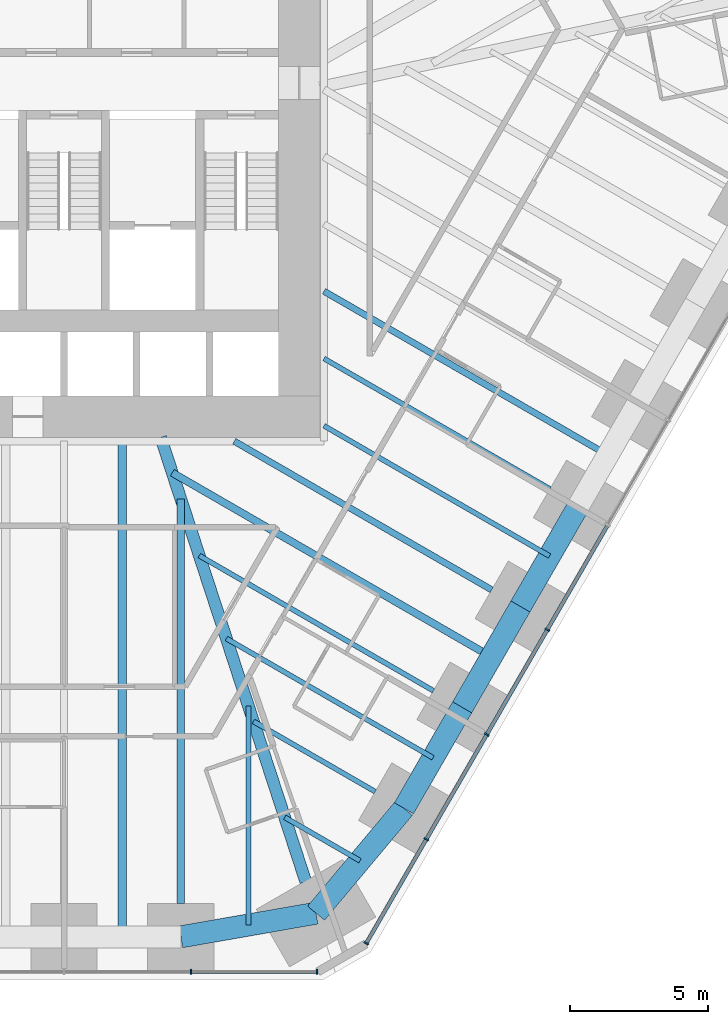
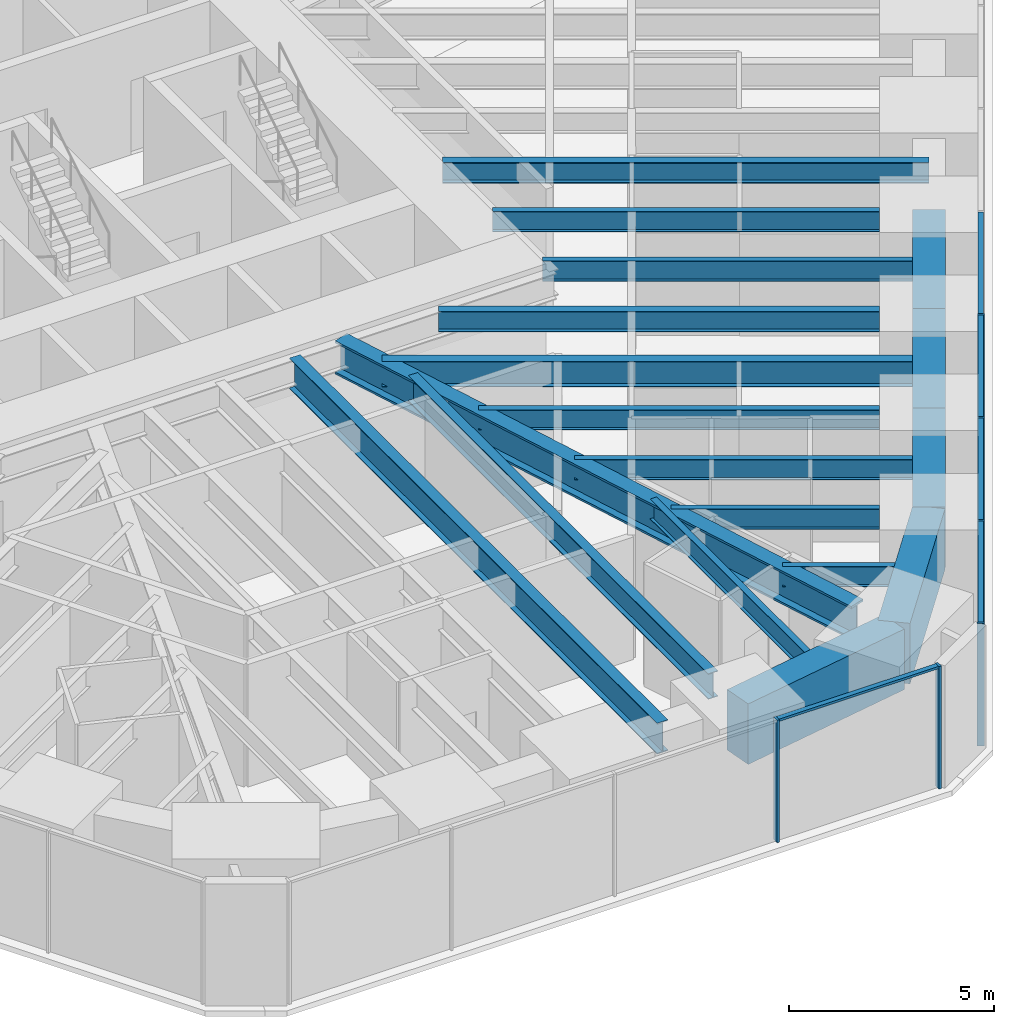
# One storey, part 5 of 17: 18 beams, 11 members, 2 elements without a shape of their own.
"""IFC4 building model written with IfcOpenShell, lengths in metres."""

from ifc_helpers import new_model, si_unit, direction, frame, origin, origin_2d, place, context, subcontext, project, spatial, rectangle, i_section, extrude, material, material_profile, profile_set, type_object, element, aggregate, save


model = new_model("IFC4")

# Units and contexts
model_context = context("Model", 3, precision=1e-05, world=origin(), true_north=direction((0.0, 1.0)))
body_context = subcontext(model_context, "Body", "Model", "MODEL_VIEW")
ifc_project = project(units=[si_unit("LENGTHUNIT", "METRE"), si_unit("AREAUNIT", "SQUARE_METRE"), si_unit("VOLUMEUNIT", "CUBIC_METRE"), si_unit("PLANEANGLEUNIT", "RADIAN"), si_unit("MASSUNIT", "GRAM", prefix="KILO")], contexts=[model_context])

# Site, building, storey
site_placement = place(None, origin())
site = spatial("IfcSite", under=ifc_project, at=site_placement, CompositionType="ELEMENT")
building_placement = place(site_placement, origin())
building = spatial("IfcBuilding", under=site, at=building_placement, Name="Sandreach Pilgrim Tower", CompositionType="ELEMENT")
storey_placement = place(building_placement, frame((0.0, 0.0, 30.60009765625)))
storey = spatial("IfcBuildingStorey", under=building, at=storey_placement, Name="L06", CompositionType="ELEMENT", Elevation=30.60009765625)

# Curtain wall, members
ifc_material_1 = material(Name="Aluminium framed curtain wall", Category="aluminium")
curtain_wall_type = type_object("IfcCurtainWallType", Name="Hostel tower curtain wall", PredefinedType="NOTDEFINED", material=ifc_material_1)
curtain_wall_1_placement = place(storey_placement, origin())
curtain_wall_1 = element("IfcCurtainWall", 1, at=curtain_wall_1_placement, inside=storey, type_object=curtain_wall_type, Name="CW-1 L06 SE", PredefinedType="NOTDEFINED")
ifc_material_2 = material(Name="Aluminium extrusion", Category="aluminium")
ifc_material_profile_1 = material_profile(ifc_material_2, rectangle(XDim=0.06494140625, YDim=0.179931640625, at=origin_2d()), Name="CW-1M 65X180")
ifc_profile_set_1 = profile_set([ifc_material_profile_1], Name="Aluminium extrusion")
member_type_1 = type_object("IfcMemberType", Name="CW-1 mullion", PredefinedType="MULLION", material=ifc_profile_set_1)
member_1_placement = place(storey_placement, frame((17.46142578125, -17.6533203125, 0.0), z_axis=(0.0, 0.0, 1.0), x_axis=(-0.5, -0.866025403784, 0.0)))
member_1 = element("IfcMember", 2, at=member_1_placement, type_object=member_type_1, Name="CW-1 mullion 7", PredefinedType="MULLION", context=body_context, shape_type="SweptSolid", body=[
    extrude(rectangle(XDim=0.06494140625, YDim=0.179931640625, at=origin_2d()), origin(), (0.0, 0.0, 1.0), 3.639892578125),
])
member_2_placement = place(storey_placement, frame((15.275634765625, -21.439208984375, 0.0), z_axis=(0.0, 0.0, 1.0), x_axis=(-0.5, -0.866025403784, 0.0)))
member_2 = element("IfcMember", 3, at=member_2_placement, type_object=member_type_1, Name="CW-1 mullion 8", PredefinedType="MULLION", context=body_context, shape_type="SweptSolid", body=[
    extrude(rectangle(XDim=0.06494140625, YDim=0.179931640625, at=origin_2d()), origin(), (0.0, 0.0, 1.0), 3.639892578125),
])
member_3_placement = place(storey_placement, frame((13.08984375, -25.22509765625, 0.0), z_axis=(0.0, 0.0, 1.0), x_axis=(-0.5, -0.866025403784, 0.0)))
member_3 = element("IfcMember", 4, at=member_3_placement, type_object=member_type_1, Name="CW-1 mullion 9", PredefinedType="MULLION", context=body_context, shape_type="SweptSolid", body=[
    extrude(rectangle(XDim=0.06494140625, YDim=0.179931640625, at=origin_2d()), origin(), (0.0, 0.0, 1.0), 3.639892578125),
])
member_4_placement = place(storey_placement, frame((10.92041015625, -28.982666015625, 0.0), z_axis=(0.0, 0.0, 1.0), x_axis=(-0.5, -0.866025403784, 0.0)))
member_4 = element("IfcMember", 5, at=member_4_placement, type_object=member_type_1, Name="CW-1 mullion 10", PredefinedType="MULLION", context=body_context, shape_type="SweptSolid", body=[
    extrude(rectangle(XDim=0.06494140625, YDim=0.179931640625, at=origin_2d()), origin(), (0.0, 0.0, 1.0), 3.639892578125),
])

curtain_wall_2_placement = place(storey_placement, origin())
curtain_wall_2 = element("IfcCurtainWall", 6, at=curtain_wall_2_placement, inside=storey, type_object=curtain_wall_type, Name="CW-1 L06 S", PredefinedType="NOTDEFINED")
member_5_placement = place(storey_placement, frame((9.1396484375, -30.010986328125, 0.0), z_axis=(0.0, 0.0, 1.0), x_axis=(-1.0, 0.0, 0.0)))
member_5 = element("IfcMember", 7, at=member_5_placement, type_object=member_type_1, Name="CW-1 mullion 1", PredefinedType="MULLION", context=body_context, shape_type="SweptSolid", body=[
    extrude(rectangle(XDim=0.06494140625, YDim=0.179931640625, at=origin_2d()), origin(), (0.0, 0.0, 1.0), 3.639892578125),
])
member_6_placement = place(storey_placement, frame((4.5859375, -30.010986328125, 0.0), z_axis=(0.0, 0.0, 1.0), x_axis=(-1.0, 0.0, 0.0)))
member_6 = element("IfcMember", 8, at=member_6_placement, type_object=member_type_1, Name="CW-1 mullion 2", PredefinedType="MULLION", context=body_context, shape_type="SweptSolid", body=[
    extrude(rectangle(XDim=0.06494140625, YDim=0.179931640625, at=origin_2d()), origin(), (0.0, 0.0, 1.0), 3.639892578125),
])

# Member
ifc_material_3 = material(Name="Aluminium extrusion", Category="aluminium")
ifc_material_profile_2 = material_profile(ifc_material_3, rectangle(XDim=0.139892578125, YDim=0.070068359375, at=origin_2d()), Name="CW-1T 140X70")
ifc_profile_set_2 = profile_set([ifc_material_profile_2], Name="Aluminium extrusion")
member_type_2 = type_object("IfcMemberType", Name="CW-1 transom", PredefinedType="USERDEFINED", material=ifc_profile_set_2)
member_7_placement = place(storey_placement, frame((19.631103515625, -13.8955078125, 3.60498046875), z_axis=(-0.500016891966, -0.866015650984, 0.0), x_axis=(0.866015650984, -0.500016891966, 0.0)))
member_7 = element("IfcMember", 9, at=member_7_placement, type_object=member_type_2, Name="CW-1 head transom 6", ObjectType="TRANSOM", PredefinedType="USERDEFINED", context=body_context, shape_type="SweptSolid", body=[
    extrude(rectangle(XDim=0.139892578125, YDim=0.070068359375, at=origin_2d()), origin(), (0.0, 0.0, 1.0), 4.306396484375),
])

member_8_placement = place(storey_placement, frame((17.4453125, -17.681396484375, 3.60498046875), z_axis=(-0.500016891966, -0.866015650984, 0.0), x_axis=(0.866015650984, -0.500016891966, 0.0)))
member_8 = element("IfcMember", 10, at=member_8_placement, type_object=member_type_2, Name="CW-1 head transom 7", ObjectType="TRANSOM", PredefinedType="USERDEFINED", context=body_context, shape_type="SweptSolid", body=[
    extrude(rectangle(XDim=0.139892578125, YDim=0.070068359375, at=origin_2d()), origin(), (0.0, 0.0, 1.0), 4.306396484375),
])

member_9_placement = place(storey_placement, frame((15.259521484375, -21.46728515625, 3.60498046875), z_axis=(-0.500016891966, -0.866015650984, 0.0), x_axis=(0.866015650984, -0.500016891966, 0.0)))
member_9 = element("IfcMember", 11, at=member_9_placement, type_object=member_type_2, Name="CW-1 head transom 8", ObjectType="TRANSOM", PredefinedType="USERDEFINED", context=body_context, shape_type="SweptSolid", body=[
    extrude(rectangle(XDim=0.139892578125, YDim=0.070068359375, at=origin_2d()), origin(), (0.0, 0.0, 1.0), 4.306396484375),
])

member_10_placement = place(storey_placement, frame((13.07373046875, -25.253173828125, 3.60498046875), z_axis=(-0.500033953635, -0.866005799756, 0.0), x_axis=(0.866005799756, -0.500033953635, 0.0)))
member_10 = element("IfcMember", 12, at=member_10_placement, type_object=member_type_2, Name="CW-1 head transom 9", ObjectType="TRANSOM", PredefinedType="USERDEFINED", context=body_context, shape_type="SweptSolid", body=[
    extrude(rectangle(XDim=0.139892578125, YDim=0.070068359375, at=origin_2d()), origin(), (0.0, 0.0, 1.0), 4.274169921875),
])

aggregate(curtain_wall_1, [member_1, member_2, member_3, member_4, member_7, member_8, member_9, member_10])

member_11_placement = place(storey_placement, frame((9.107177734375, -30.010986328125, 3.60498046875), z_axis=(-1.0, 0.0, 0.0), x_axis=(0.0, -1.0, 0.0)))
member_11 = element("IfcMember", 13, at=member_11_placement, type_object=member_type_2, Name="CW-1 head transom 1", ObjectType="TRANSOM", PredefinedType="USERDEFINED", context=body_context, shape_type="SweptSolid", body=[
    extrude(rectangle(XDim=0.139892578125, YDim=0.070068359375, at=origin_2d()), origin(), (0.0, 0.0, 1.0), 4.488525390625),
])

aggregate(curtain_wall_2, [member_5, member_6, member_11])

# Beams
ifc_material_4 = material(Name="Steel ASTM A992 Grade 50", Category="steel")
ifc_material_profile_3 = material_profile(ifc_material_4, i_section(OverallWidth=0.431884765625, OverallDepth=0.988037109375, WebThickness=0.034423828125, FlangeThickness=0.06201171875, at=origin_2d()), Name="W36X441")
ifc_profile_set_3 = profile_set([ifc_material_profile_3], Name="Steel ASTM A992 Grade 50")
beam_type_1 = type_object("IfcBeamType", Name="Corner girder W36X441", PredefinedType="BEAM", material=ifc_profile_set_3)
beam_1_placement = place(storey_placement, frame((8.73388671875, -26.756103515625, 3.145751953125), z_axis=(-0.310315410754, 0.950633654911, 0.0), x_axis=(-0.950633654911, -0.310315410754, 0.0)))
element("IfcBeam", 14, at=beam_1_placement, inside=storey, type_object=beam_type_1, Name="BM L06 CG22", PredefinedType="BEAM", context=body_context, shape_type="SweptSolid", body=[
    extrude(i_section(OverallWidth=0.431884765625, OverallDepth=0.988037109375, WebThickness=0.034423828125, FlangeThickness=0.06201171875, at=origin_2d()), origin(), (0.0, 0.0, 1.0), 16.889892578125),
])
ifc_material_5 = material(Name="Steel ASTM A992 Grade 50", Category="steel")
ifc_material_profile_4 = material_profile(ifc_material_5, i_section(OverallWidth=0.1787109375, OverallDepth=0.60205078125, WebThickness=0.010986328125, FlangeThickness=0.014892578125, at=origin_2d()), Name="W24X62")
ifc_profile_set_4 = profile_set([ifc_material_profile_4], Name="Steel ASTM A992 Grade 50")
beam_type_2 = type_object("IfcBeamType", Name="Floor beam W24X62", PredefinedType="BEAM", material=ifc_profile_set_4)
beam_2_placement = place(storey_placement, frame((17.557373046875, -12.5673828125, 3.3388671875), z_axis=(-0.866020839647, 0.500007905235, 0.0), x_axis=(-0.500007905235, -0.866020839647, 0.0)))
element("IfcBeam", 15, at=beam_2_placement, inside=storey, type_object=beam_type_2, Name="BM L06 F18", PredefinedType="BEAM", context=body_context, shape_type="SweptSolid", body=[
    extrude(i_section(OverallWidth=0.1787109375, OverallDepth=0.60205078125, WebThickness=0.010986328125, FlangeThickness=0.014892578125, at=origin_2d()), origin(), (0.0, 0.0, 1.0), 9.427001953125),
])
beam_3_placement = place(storey_placement, frame((13.347412109375, -19.859130859375, 3.3388671875), z_axis=(-0.866025751498, 0.499999397742, 0.0), x_axis=(-0.499999397742, -0.866025751498, 0.0)))
element("IfcBeam", 16, at=beam_3_placement, inside=storey, type_object=beam_type_2, Name="BM L06 F20", PredefinedType="BEAM", context=body_context, shape_type="SweptSolid", body=[
    extrude(i_section(OverallWidth=0.1787109375, OverallDepth=0.60205078125, WebThickness=0.010986328125, FlangeThickness=0.014892578125, at=origin_2d()), origin(), (0.0, 0.0, 1.0), 9.767578125),
])
beam_4_placement = place(storey_placement, frame((11.242431640625, -23.5048828125, 3.3388671875), z_axis=(-0.866027897259, 0.49999568115, 0.0), x_axis=(-0.49999568115, -0.866027897259, 0.0)))
element("IfcBeam", 17, at=beam_4_placement, inside=storey, type_object=beam_type_2, Name="BM L06 F21", PredefinedType="BEAM", context=body_context, shape_type="SweptSolid", body=[
    extrude(i_section(OverallWidth=0.1787109375, OverallDepth=0.60205078125, WebThickness=0.010986328125, FlangeThickness=0.014892578125, at=origin_2d()), origin(), (0.0, 0.0, 1.0), 5.0791015625),
])
beam_5_placement = place(storey_placement, frame((17.5439453125, -14.990234375, 3.3388671875), z_axis=(-0.86602359238, 0.500003137431, 0.0), x_axis=(-0.500003137431, -0.86602359238, 0.0)))
element("IfcBeam", 18, at=beam_5_placement, inside=storey, type_object=beam_type_2, Name="BM L06 FM18", PredefinedType="BEAM", context=body_context, shape_type="SweptSolid", body=[
    extrude(i_section(OverallWidth=0.1787109375, OverallDepth=0.60205078125, WebThickness=0.010986328125, FlangeThickness=0.014892578125, at=origin_2d()), origin(), (0.0, 0.0, 1.0), 9.41162109375),
])
beam_6_placement = place(storey_placement, frame((13.334228515625, -22.281982421875, 3.3388671875), z_axis=(-0.86602717807, 0.499996926835, 0.0), x_axis=(-0.499996926835, -0.86602717807, 0.0)))
element("IfcBeam", 19, at=beam_6_placement, inside=storey, type_object=beam_type_2, Name="BM L06 FM20", PredefinedType="BEAM", context=body_context, shape_type="SweptSolid", body=[
    extrude(i_section(OverallWidth=0.1787109375, OverallDepth=0.60205078125, WebThickness=0.010986328125, FlangeThickness=0.014892578125, at=origin_2d()), origin(), (0.0, 0.0, 1.0), 8.62353515625),
])
beam_7_placement = place(storey_placement, frame((10.694091796875, -26.0009765625, 3.3388671875), z_axis=(-0.866023718453, 0.500002919068, 0.0), x_axis=(-0.500002919068, -0.866023718453, 0.0)))
element("IfcBeam", 20, at=beam_7_placement, inside=storey, type_object=beam_type_2, Name="BM L06 FM21", PredefinedType="BEAM", context=body_context, shape_type="SweptSolid", body=[
    extrude(i_section(OverallWidth=0.1787109375, OverallDepth=0.60205078125, WebThickness=0.010986328125, FlangeThickness=0.014892578125, at=origin_2d()), origin(), (0.0, 0.0, 1.0), 3.1396484375),
])
beam_8_placement = place(storey_placement, frame((6.664306640625, -28.323974609375, 3.3388671875), z_axis=(0.0, 1.0, 0.0), x_axis=(-1.0, 0.0, 0.0)))
element("IfcBeam", 21, at=beam_8_placement, inside=storey, type_object=beam_type_2, Name="BM L06 FM22", PredefinedType="BEAM", context=body_context, shape_type="SweptSolid", body=[
    extrude(i_section(OverallWidth=0.1787109375, OverallDepth=0.60205078125, WebThickness=0.010986328125, FlangeThickness=0.014892578125, at=origin_2d()), origin(), (0.0, 0.0, 1.0), 7.907958984375),
])
ifc_material_6 = material(Name="Steel ASTM A992 Grade 50", Category="steel")
ifc_material_profile_5 = material_profile(ifc_material_6, i_section(OverallWidth=0.23046875, OverallDepth=0.6171875, WebThickness=0.01318359375, FlangeThickness=0.022216796875, at=origin_2d()), Name="W24X94")
ifc_profile_set_5 = profile_set([ifc_material_profile_5], Name="Steel ASTM A992 Grade 50")
beam_type_3 = type_object("IfcBeamType", Name="Floor beam W24X94", PredefinedType="BEAM", material=ifc_profile_set_5)
beam_9_placement = place(storey_placement, frame((15.452392578125, -16.213134765625, 3.331298828125), z_axis=(-0.866028486751, 0.499994660107, 0.0), x_axis=(-0.499994660107, -0.866028486751, 0.0)))
element("IfcBeam", 22, at=beam_9_placement, inside=storey, type_object=beam_type_3, Name="BM L06 F19", PredefinedType="BEAM", context=body_context, shape_type="SweptSolid", body=[
    extrude(i_section(OverallWidth=0.23046875, OverallDepth=0.6171875, WebThickness=0.01318359375, FlangeThickness=0.022216796875, at=origin_2d()), origin(), (0.0, 0.0, 1.0), 10.73974609375),
])
beam_10_placement = place(storey_placement, frame((19.64892578125, -11.34423828125, 3.331298828125), z_axis=(-0.866032123691, 0.4999883606, 0.0), x_axis=(-0.4999883606, -0.866032123691, 0.0)))
element("IfcBeam", 23, at=beam_10_placement, inside=storey, type_object=beam_type_3, Name="BM L06 FM17", PredefinedType="BEAM", context=body_context, shape_type="SweptSolid", body=[
    extrude(i_section(OverallWidth=0.23046875, OverallDepth=0.6171875, WebThickness=0.01318359375, FlangeThickness=0.022216796875, at=origin_2d()), origin(), (0.0, 0.0, 1.0), 11.842041015625),
])
ifc_material_7 = material(Name="Steel ASTM A992 Grade 50", Category="steel")
ifc_material_profile_6 = material_profile(ifc_material_7, i_section(OverallWidth=0.2666015625, OverallDepth=0.761962890625, WebThickness=0.014404296875, FlangeThickness=0.021484375, at=origin_2d()), Name="W30X116")
ifc_profile_set_6 = profile_set([ifc_material_profile_6], Name="Steel ASTM A992 Grade 50")
beam_type_4 = type_object("IfcBeamType", Name="Floor beam W30X116", PredefinedType="BEAM", material=ifc_profile_set_6)
beam_11_placement = place(storey_placement, frame((4.222412109375, -27.55078125, 3.2587890625), z_axis=(0.0, 1.0, 0.0), x_axis=(-1.0, 0.0, 0.0)))
element("IfcBeam", 24, at=beam_11_placement, inside=storey, type_object=beam_type_4, Name="BM L06 F23", PredefinedType="BEAM", context=body_context, shape_type="SweptSolid", body=[
    extrude(i_section(OverallWidth=0.2666015625, OverallDepth=0.761962890625, WebThickness=0.014404296875, FlangeThickness=0.021484375, at=origin_2d()), origin(), (0.0, 0.0, 1.0), 14.61572265625),
])
beam_12_placement = place(storey_placement, frame((15.43896484375, -18.63623046875, 3.2587890625), z_axis=(-0.866021271874, 0.50000715661, 0.0), x_axis=(-0.50000715661, -0.866021271874, 0.0)))
element("IfcBeam", 25, at=beam_12_placement, inside=storey, type_object=beam_type_4, Name="BM L06 FM19", PredefinedType="BEAM", context=body_context, shape_type="SweptSolid", body=[
    extrude(i_section(OverallWidth=0.2666015625, OverallDepth=0.761962890625, WebThickness=0.014404296875, FlangeThickness=0.021484375, at=origin_2d()), origin(), (0.0, 0.0, 1.0), 13.311767578125),
])
ifc_material_8 = material(Name="Steel ASTM A992 Grade 50", Category="steel")
ifc_material_profile_7 = material_profile(ifc_material_8, i_section(OverallWidth=0.3046875, OverallDepth=0.914306640625, WebThickness=0.0166015625, FlangeThickness=0.02587890625, at=origin_2d()), Name="W36X160")
ifc_profile_set_7 = profile_set([ifc_material_profile_7], Name="Steel ASTM A992 Grade 50")
beam_type_5 = type_object("IfcBeamType", Name="Floor beam W36X160", PredefinedType="BEAM", material=ifc_profile_set_7)
beam_13_placement = place(storey_placement, frame((2.111083984375, -28.7509765625, 3.1826171875), z_axis=(0.0, 1.0, 0.0), x_axis=(-1.0, 0.0, 0.0)))
element("IfcBeam", 26, at=beam_13_placement, inside=storey, type_object=beam_type_5, Name="BM L06 FM23", PredefinedType="BEAM", context=body_context, shape_type="SweptSolid", body=[
    extrude(i_section(OverallWidth=0.3046875, OverallDepth=0.914306640625, WebThickness=0.0166015625, FlangeThickness=0.02587890625, at=origin_2d()), origin(), (0.0, 0.0, 1.0), 17.90771484375),
])
ifc_material_9 = material(Name="Concrete 10000 psi", Category="concrete")
ifc_material_profile_8 = material_profile(ifc_material_9, rectangle(XDim=0.800048828125, YDim=1.800048828125, at=origin_2d()), Name="RC800X1800")
ifc_profile_set_8 = profile_set([ifc_material_profile_8], Name="Concrete 10000 psi")
beam_type_6 = type_object("IfcBeamType", Name="Spandrel beam RC800X1800", PredefinedType="SPANDREL", material=ifc_profile_set_8)
beam_14_placement = place(storey_placement, frame((18.596435546875, -13.167236328125, 2.739990234375), z_axis=(-0.499993523031, -0.866029143232, 0.0), x_axis=(0.866029143232, -0.499993523031, 0.0)))
element("IfcBeam", 27, at=beam_14_placement, inside=storey, type_object=beam_type_6, Name="BM L06 SP18", PredefinedType="SPANDREL", context=body_context, shape_type="SweptSolid", body=[
    extrude(rectangle(XDim=0.800048828125, YDim=1.800048828125, at=origin_2d()), origin(), (0.0, 0.0, 1.0), 4.2099609375),
])
beam_15_placement = place(storey_placement, frame((16.491455078125, -16.813232421875, 2.739990234375), z_axis=(-0.499975138639, -0.866039757022, 0.0), x_axis=(0.866039757022, -0.499975138639, 0.0)))
element("IfcBeam", 28, at=beam_15_placement, inside=storey, type_object=beam_type_6, Name="BM L06 SP19", PredefinedType="SPANDREL", context=body_context, shape_type="SweptSolid", body=[
    extrude(rectangle(XDim=0.800048828125, YDim=1.800048828125, at=origin_2d()), origin(), (0.0, 0.0, 1.0), 4.209716796875),
])
beam_16_placement = place(storey_placement, frame((14.38671875, -20.458984375, 2.739990234375), z_axis=(-0.499993523031, -0.866029143232, 0.0), x_axis=(0.866029143232, -0.499993523031, 0.0)))
element("IfcBeam", 29, at=beam_16_placement, inside=storey, type_object=beam_type_6, Name="BM L06 SP20", PredefinedType="SPANDREL", context=body_context, shape_type="SweptSolid", body=[
    extrude(rectangle(XDim=0.800048828125, YDim=1.800048828125, at=origin_2d()), origin(), (0.0, 0.0, 1.0), 4.2099609375),
])
beam_17_placement = place(storey_placement, frame((12.28173828125, -24.10498046875, 2.739990234375), z_axis=(-0.642008193922, -0.766697775488, 0.0), x_axis=(0.766697775488, -0.642008193922, 0.0)))
element("IfcBeam", 30, at=beam_17_placement, inside=storey, type_object=beam_type_6, Name="BM L06 SP21", PredefinedType="SPANDREL", context=body_context, shape_type="SweptSolid", body=[
    extrude(rectangle(XDim=0.800048828125, YDim=1.800048828125, at=origin_2d()), origin(), (0.0, 0.0, 1.0), 4.94580078125),
])
beam_18_placement = place(storey_placement, frame((9.1064453125, -27.89697265625, 2.739990234375), z_axis=(-0.985054495501, -0.17224297052, 0.0), x_axis=(0.17224297052, -0.985054495501, 0.0)))
element("IfcBeam", 31, at=beam_18_placement, inside=storey, type_object=beam_type_6, Name="BM L06 SP22", PredefinedType="SPANDREL", context=body_context, shape_type="SweptSolid", body=[
    extrude(rectangle(XDim=0.800048828125, YDim=1.800048828125, at=origin_2d()), origin(), (0.0, 0.0, 1.0), 4.958251953125),
])

save(model, "model.ifc")
